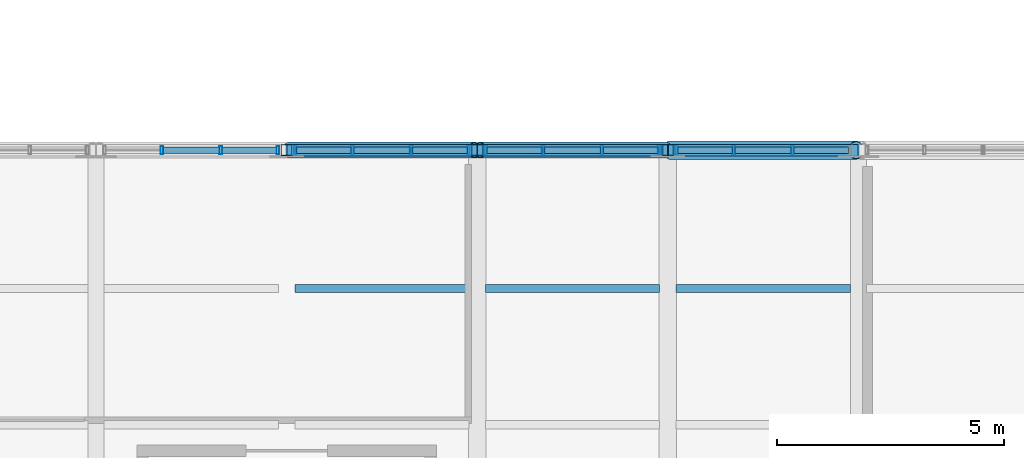
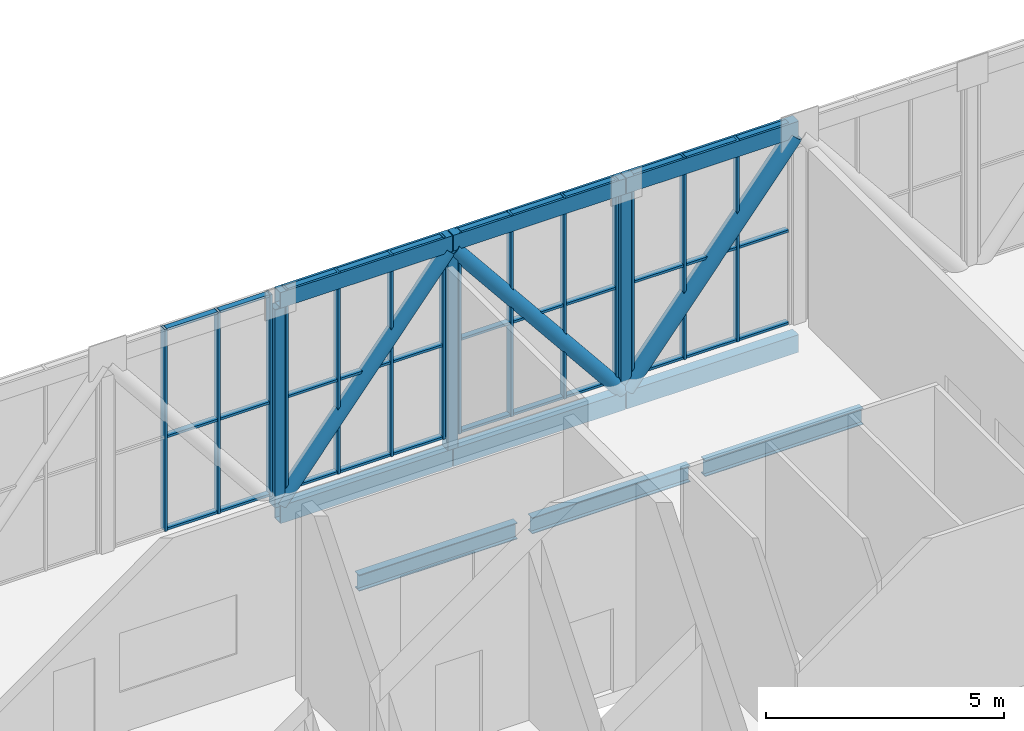
# One storey, part 35 of 58: 59 members, 3 beams, 4 elements without a shape of their own.
"""IFC4 building model written with IfcOpenShell, lengths in metres."""

from ifc_helpers import new_model, si_unit, direction, frame, origin, origin_2d, place, context, subcontext, project, spatial, hollow_rectangle, hollow_circle, i_section, extrude, material, material_profile, profile_set, type_object, element, aggregate, save


model = new_model("IFC4")

# Units and contexts
model_context = context("Model", 3, precision=1e-05, world=origin(), true_north=direction((0.0, 1.0)))
body_context = subcontext(model_context, "Body", "Model", "MODEL_VIEW")
ifc_project = project(units=[si_unit("LENGTHUNIT", "METRE"), si_unit("AREAUNIT", "SQUARE_METRE"), si_unit("VOLUMEUNIT", "CUBIC_METRE"), si_unit("PLANEANGLEUNIT", "RADIAN"), si_unit("MASSUNIT", "GRAM", prefix="KILO")], contexts=[model_context])

# Site, building, storey
site_placement = place(None, origin())
site = spatial("IfcSite", under=ifc_project, at=site_placement, CompositionType="ELEMENT")
building_placement = place(site_placement, origin())
building = spatial("IfcBuilding", under=site, at=building_placement, Name="Khurvash Pelagic Aquarium", CompositionType="ELEMENT")
storey_placement = place(building_placement, frame((0.0, 0.0, 24.60009765625)))
storey = spatial("IfcBuildingStorey", under=building, at=storey_placement, Name="L05", CompositionType="ELEMENT", Elevation=24.60009765625)

# Curtain wall, members
ifc_material_1 = material(Name="Anodised aluminium and low-E laminated glass", Category="aluminium")
curtain_wall_type = type_object("IfcCurtainWallType", Name="CW-01", PredefinedType="USERDEFINED", material=ifc_material_1)
curtain_wall_1_placement = place(storey_placement, origin())
curtain_wall_1 = element("IfcCurtainWall", 1, at=curtain_wall_1_placement, inside=storey, type_object=curtain_wall_type, Name="L05 North Sky-Bar Unitised Curtain Wall CW-01 P20", ObjectType="UNITISED CURTAIN WALL", PredefinedType="USERDEFINED")
ifc_material_2 = material(Name="Extruded aluminium AW-6063-T6", Category="aluminium")
ifc_material_profile_1 = material_profile(ifc_material_2, hollow_rectangle(XDim=0.06005859375, YDim=0.179931640625, WallThickness=0.00390625, at=origin_2d()), Name="CWM60X180X4")
ifc_profile_set_1 = profile_set([ifc_material_profile_1], Name="Extruded aluminium AW-6063-T6")
member_type_1 = type_object("IfcMemberType", Name="CM-01", PredefinedType="MULLION", material=ifc_profile_set_1)
member_1_placement = place(storey_placement, frame((93.853271484375, 29.75, 0.0), z_axis=(0.0, 0.0, 1.0), x_axis=(1.0, 0.0, 0.0)))
member_1 = element("IfcMember", 2, at=member_1_placement, type_object=member_type_1, Name="CW-01 mullion 2", PredefinedType="MULLION", context=body_context, shape_type="SweptSolid", body=[
    extrude(hollow_rectangle(XDim=0.06005859375, YDim=0.179931640625, WallThickness=0.00390625, at=origin_2d()), origin(), (0.0, 0.0, 1.0), 5.179931640625),
])
member_2_placement = place(storey_placement, frame((95.146728515625, 29.75, 0.0), z_axis=(0.0, 0.0, 1.0), x_axis=(1.0, 0.0, 0.0)))
member_2 = element("IfcMember", 3, at=member_2_placement, type_object=member_type_1, Name="CW-01 mullion 3", PredefinedType="MULLION", context=body_context, shape_type="SweptSolid", body=[
    extrude(hollow_rectangle(XDim=0.06005859375, YDim=0.179931640625, WallThickness=0.00390625, at=origin_2d()), origin(), (0.0, 0.0, 1.0), 5.179931640625),
])
member_3_placement = place(storey_placement, frame((96.409912109375, 29.75, 0.0), z_axis=(0.0, 0.0, 1.0), x_axis=(1.0, 0.0, 0.0)))
member_3 = element("IfcMember", 4, at=member_3_placement, type_object=member_type_1, Name="CW-01 mullion 4", PredefinedType="MULLION", context=body_context, shape_type="SweptSolid", body=[
    extrude(hollow_rectangle(XDim=0.06005859375, YDim=0.179931640625, WallThickness=0.00390625, at=origin_2d()), origin(), (0.0, 0.0, 1.0), 5.179931640625),
])

curtain_wall_2_placement = place(storey_placement, origin())
curtain_wall_2 = element("IfcCurtainWall", 5, at=curtain_wall_2_placement, inside=storey, type_object=curtain_wall_type, Name="L05 North Sky-Bar Unitised Curtain Wall CW-01 P21", ObjectType="UNITISED CURTAIN WALL", PredefinedType="USERDEFINED")
member_4_placement = place(storey_placement, frame((96.7900390625, 29.75, 0.0), z_axis=(0.0, 0.0, 1.0), x_axis=(1.0, 0.0, 0.0)))
member_4 = element("IfcMember", 6, at=member_4_placement, type_object=member_type_1, Name="CW-01 mullion 1", PredefinedType="MULLION", context=body_context, shape_type="SweptSolid", body=[
    extrude(hollow_rectangle(XDim=0.06005859375, YDim=0.179931640625, WallThickness=0.00390625, at=origin_2d()), origin(), (0.0, 0.0, 1.0), 5.179931640625),
])
member_5_placement = place(storey_placement, frame((98.05322265625, 29.75, 0.0), z_axis=(0.0, 0.0, 1.0), x_axis=(1.0, 0.0, 0.0)))
member_5 = element("IfcMember", 7, at=member_5_placement, type_object=member_type_1, Name="CW-01 mullion 2", PredefinedType="MULLION", context=body_context, shape_type="SweptSolid", body=[
    extrude(hollow_rectangle(XDim=0.06005859375, YDim=0.179931640625, WallThickness=0.00390625, at=origin_2d()), origin(), (0.0, 0.0, 1.0), 5.179931640625),
])
member_6_placement = place(storey_placement, frame((99.3466796875, 29.75, 0.0), z_axis=(0.0, 0.0, 1.0), x_axis=(1.0, 0.0, 0.0)))
member_6 = element("IfcMember", 8, at=member_6_placement, type_object=member_type_1, Name="CW-01 mullion 3", PredefinedType="MULLION", context=body_context, shape_type="SweptSolid", body=[
    extrude(hollow_rectangle(XDim=0.06005859375, YDim=0.179931640625, WallThickness=0.00390625, at=origin_2d()), origin(), (0.0, 0.0, 1.0), 5.179931640625),
])
member_7_placement = place(storey_placement, frame((100.610107421875, 29.75, 0.0), z_axis=(0.0, 0.0, 1.0), x_axis=(1.0, 0.0, 0.0)))
member_7 = element("IfcMember", 9, at=member_7_placement, type_object=member_type_1, Name="CW-01 mullion 4", PredefinedType="MULLION", context=body_context, shape_type="SweptSolid", body=[
    extrude(hollow_rectangle(XDim=0.06005859375, YDim=0.179931640625, WallThickness=0.00390625, at=origin_2d()), origin(), (0.0, 0.0, 1.0), 5.179931640625),
])

curtain_wall_3_placement = place(storey_placement, origin())
curtain_wall_3 = element("IfcCurtainWall", 10, at=curtain_wall_3_placement, inside=storey, type_object=curtain_wall_type, Name="L05 North Sky-Bar Unitised Curtain Wall CW-01 P22", ObjectType="UNITISED CURTAIN WALL", PredefinedType="USERDEFINED")
member_8_placement = place(storey_placement, frame((100.989990234375, 29.75, 0.0), z_axis=(0.0, 0.0, 1.0), x_axis=(1.0, 0.0, 0.0)))
member_8 = element("IfcMember", 11, at=member_8_placement, type_object=member_type_1, Name="CW-01 mullion 1", PredefinedType="MULLION", context=body_context, shape_type="SweptSolid", body=[
    extrude(hollow_rectangle(XDim=0.06005859375, YDim=0.179931640625, WallThickness=0.00390625, at=origin_2d()), origin(), (0.0, 0.0, 1.0), 5.179931640625),
])
member_9_placement = place(storey_placement, frame((102.25341796875, 29.75, 0.0), z_axis=(0.0, 0.0, 1.0), x_axis=(1.0, 0.0, 0.0)))
member_9 = element("IfcMember", 12, at=member_9_placement, type_object=member_type_1, Name="CW-01 mullion 2", PredefinedType="MULLION", context=body_context, shape_type="SweptSolid", body=[
    extrude(hollow_rectangle(XDim=0.06005859375, YDim=0.179931640625, WallThickness=0.00390625, at=origin_2d()), origin(), (0.0, 0.0, 1.0), 5.179931640625),
])
member_10_placement = place(storey_placement, frame((103.546630859375, 29.75, 0.0), z_axis=(0.0, 0.0, 1.0), x_axis=(1.0, 0.0, 0.0)))
member_10 = element("IfcMember", 13, at=member_10_placement, type_object=member_type_1, Name="CW-01 mullion 3", PredefinedType="MULLION", context=body_context, shape_type="SweptSolid", body=[
    extrude(hollow_rectangle(XDim=0.06005859375, YDim=0.179931640625, WallThickness=0.00390625, at=origin_2d()), origin(), (0.0, 0.0, 1.0), 5.179931640625),
])
member_11_placement = place(storey_placement, frame((104.81005859375, 29.75, 0.0), z_axis=(0.0, 0.0, 1.0), x_axis=(1.0, 0.0, 0.0)))
member_11 = element("IfcMember", 14, at=member_11_placement, type_object=member_type_1, Name="CW-01 mullion 4", PredefinedType="MULLION", context=body_context, shape_type="SweptSolid", body=[
    extrude(hollow_rectangle(XDim=0.06005859375, YDim=0.179931640625, WallThickness=0.00390625, at=origin_2d()), origin(), (0.0, 0.0, 1.0), 5.179931640625),
])

curtain_wall_4_placement = place(storey_placement, origin())
curtain_wall_4 = element("IfcCurtainWall", 15, at=curtain_wall_4_placement, inside=storey, type_object=curtain_wall_type, Name="L05 North Sky-Bar Unitised Curtain Wall CW-01 P23", ObjectType="UNITISED CURTAIN WALL", PredefinedType="USERDEFINED")
member_12_placement = place(storey_placement, frame((105.18994140625, 29.75, 0.0), z_axis=(0.0, 0.0, 1.0), x_axis=(1.0, 0.0, 0.0)))
member_12 = element("IfcMember", 16, at=member_12_placement, type_object=member_type_1, Name="CW-01 mullion 1", PredefinedType="MULLION", context=body_context, shape_type="SweptSolid", body=[
    extrude(hollow_rectangle(XDim=0.06005859375, YDim=0.179931640625, WallThickness=0.00390625, at=origin_2d()), origin(), (0.0, 0.0, 1.0), 5.179931640625),
])
member_13_placement = place(storey_placement, frame((106.453369140625, 29.75, 0.0), z_axis=(0.0, 0.0, 1.0), x_axis=(1.0, 0.0, 0.0)))
member_13 = element("IfcMember", 17, at=member_13_placement, type_object=member_type_1, Name="CW-01 mullion 2", PredefinedType="MULLION", context=body_context, shape_type="SweptSolid", body=[
    extrude(hollow_rectangle(XDim=0.06005859375, YDim=0.179931640625, WallThickness=0.00390625, at=origin_2d()), origin(), (0.0, 0.0, 1.0), 5.179931640625),
])
member_14_placement = place(storey_placement, frame((107.74658203125, 29.75, 0.0), z_axis=(0.0, 0.0, 1.0), x_axis=(1.0, 0.0, 0.0)))
member_14 = element("IfcMember", 18, at=member_14_placement, type_object=member_type_1, Name="CW-01 mullion 3", PredefinedType="MULLION", context=body_context, shape_type="SweptSolid", body=[
    extrude(hollow_rectangle(XDim=0.06005859375, YDim=0.179931640625, WallThickness=0.00390625, at=origin_2d()), origin(), (0.0, 0.0, 1.0), 5.179931640625),
])

# Member
ifc_material_profile_2 = material_profile(ifc_material_2, hollow_rectangle(XDim=0.139892578125, YDim=0.06005859375, WallThickness=0.00390625, at=origin_2d()), Name="CWT140X60X4")
ifc_profile_set_2 = profile_set([ifc_material_profile_2], Name="Extruded aluminium AW-6063-T6")
member_type_2 = type_object("IfcMemberType", Name="CT-01", PredefinedType="USERDEFINED", material=ifc_profile_set_2)
member_15_placement = place(storey_placement, frame((93.88330078125, 29.75, 0.02978515625), z_axis=(1.0, 0.0, 0.0), x_axis=(0.0, 1.0, 0.0)))
member_15 = element("IfcMember", 19, at=member_15_placement, type_object=member_type_2, Name="CW-01 transom 2.1", ObjectType="TRANSOM", PredefinedType="USERDEFINED", context=body_context, shape_type="SweptSolid", body=[
    extrude(hollow_rectangle(XDim=0.139892578125, YDim=0.06005859375, WallThickness=0.00390625, at=origin_2d()), origin(), (0.0, 0.0, 1.0), 1.2333984375),
])

member_16_placement = place(storey_placement, frame((93.88330078125, 29.75, 2.39990234375), z_axis=(1.0, 0.0, 0.0), x_axis=(0.0, 1.0, 0.0)))
member_16 = element("IfcMember", 20, at=member_16_placement, type_object=member_type_2, Name="CW-01 transom 2.2", ObjectType="TRANSOM", PredefinedType="USERDEFINED", context=body_context, shape_type="SweptSolid", body=[
    extrude(hollow_rectangle(XDim=0.139892578125, YDim=0.06005859375, WallThickness=0.00390625, at=origin_2d()), origin(), (0.0, 0.0, 1.0), 1.2333984375),
])

member_17_placement = place(storey_placement, frame((93.88330078125, 29.75, 5.14990234375), z_axis=(1.0, 0.0, 0.0), x_axis=(0.0, 1.0, 0.0)))
member_17 = element("IfcMember", 21, at=member_17_placement, type_object=member_type_2, Name="CW-01 transom 2.3", ObjectType="TRANSOM", PredefinedType="USERDEFINED", context=body_context, shape_type="SweptSolid", body=[
    extrude(hollow_rectangle(XDim=0.139892578125, YDim=0.06005859375, WallThickness=0.00390625, at=origin_2d()), origin(), (0.0, 0.0, 1.0), 1.2333984375),
])

member_18_placement = place(storey_placement, frame((95.1767578125, 29.75, 0.02978515625), z_axis=(1.0, 0.0, 0.0), x_axis=(0.0, 1.0, 0.0)))
member_18 = element("IfcMember", 22, at=member_18_placement, type_object=member_type_2, Name="CW-01 transom 3.1", ObjectType="TRANSOM", PredefinedType="USERDEFINED", context=body_context, shape_type="SweptSolid", body=[
    extrude(hollow_rectangle(XDim=0.139892578125, YDim=0.06005859375, WallThickness=0.00390625, at=origin_2d()), origin(), (0.0, 0.0, 1.0), 1.203125),
])

member_19_placement = place(storey_placement, frame((95.1767578125, 29.75, 2.39990234375), z_axis=(1.0, 0.0, 0.0), x_axis=(0.0, 1.0, 0.0)))
member_19 = element("IfcMember", 23, at=member_19_placement, type_object=member_type_2, Name="CW-01 transom 3.2", ObjectType="TRANSOM", PredefinedType="USERDEFINED", context=body_context, shape_type="SweptSolid", body=[
    extrude(hollow_rectangle(XDim=0.139892578125, YDim=0.06005859375, WallThickness=0.00390625, at=origin_2d()), origin(), (0.0, 0.0, 1.0), 1.203125),
])

member_20_placement = place(storey_placement, frame((95.1767578125, 29.75, 5.14990234375), z_axis=(1.0, 0.0, 0.0), x_axis=(0.0, 1.0, 0.0)))
member_20 = element("IfcMember", 24, at=member_20_placement, type_object=member_type_2, Name="CW-01 transom 3.3", ObjectType="TRANSOM", PredefinedType="USERDEFINED", context=body_context, shape_type="SweptSolid", body=[
    extrude(hollow_rectangle(XDim=0.139892578125, YDim=0.06005859375, WallThickness=0.00390625, at=origin_2d()), origin(), (0.0, 0.0, 1.0), 1.203125),
])

aggregate(curtain_wall_1, [member_1, member_2, member_3, member_15, member_16, member_17, member_18, member_19, member_20])

member_21_placement = place(storey_placement, frame((96.820068359375, 29.75, 0.02978515625), z_axis=(1.0, 0.0, 0.0), x_axis=(0.0, 1.0, 0.0)))
member_21 = element("IfcMember", 25, at=member_21_placement, type_object=member_type_2, Name="CW-01 transom 1.1", ObjectType="TRANSOM", PredefinedType="USERDEFINED", context=body_context, shape_type="SweptSolid", body=[
    extrude(hollow_rectangle(XDim=0.139892578125, YDim=0.06005859375, WallThickness=0.00390625, at=origin_2d()), origin(), (0.0, 0.0, 1.0), 1.203369140625),
])

member_22_placement = place(storey_placement, frame((96.820068359375, 29.75, 2.39990234375), z_axis=(1.0, 0.0, 0.0), x_axis=(0.0, 1.0, 0.0)))
member_22 = element("IfcMember", 26, at=member_22_placement, type_object=member_type_2, Name="CW-01 transom 1.2", ObjectType="TRANSOM", PredefinedType="USERDEFINED", context=body_context, shape_type="SweptSolid", body=[
    extrude(hollow_rectangle(XDim=0.139892578125, YDim=0.06005859375, WallThickness=0.00390625, at=origin_2d()), origin(), (0.0, 0.0, 1.0), 1.203369140625),
])

member_23_placement = place(storey_placement, frame((96.820068359375, 29.75, 5.14990234375), z_axis=(1.0, 0.0, 0.0), x_axis=(0.0, 1.0, 0.0)))
member_23 = element("IfcMember", 27, at=member_23_placement, type_object=member_type_2, Name="CW-01 transom 1.3", ObjectType="TRANSOM", PredefinedType="USERDEFINED", context=body_context, shape_type="SweptSolid", body=[
    extrude(hollow_rectangle(XDim=0.139892578125, YDim=0.06005859375, WallThickness=0.00390625, at=origin_2d()), origin(), (0.0, 0.0, 1.0), 1.203369140625),
])

member_24_placement = place(storey_placement, frame((98.083251953125, 29.75, 0.02978515625), z_axis=(1.0, 0.0, 0.0), x_axis=(0.0, 1.0, 0.0)))
member_24 = element("IfcMember", 28, at=member_24_placement, type_object=member_type_2, Name="CW-01 transom 2.1", ObjectType="TRANSOM", PredefinedType="USERDEFINED", context=body_context, shape_type="SweptSolid", body=[
    extrude(hollow_rectangle(XDim=0.139892578125, YDim=0.06005859375, WallThickness=0.00390625, at=origin_2d()), origin(), (0.0, 0.0, 1.0), 1.2333984375),
])

member_25_placement = place(storey_placement, frame((98.083251953125, 29.75, 2.39990234375), z_axis=(1.0, 0.0, 0.0), x_axis=(0.0, 1.0, 0.0)))
member_25 = element("IfcMember", 29, at=member_25_placement, type_object=member_type_2, Name="CW-01 transom 2.2", ObjectType="TRANSOM", PredefinedType="USERDEFINED", context=body_context, shape_type="SweptSolid", body=[
    extrude(hollow_rectangle(XDim=0.139892578125, YDim=0.06005859375, WallThickness=0.00390625, at=origin_2d()), origin(), (0.0, 0.0, 1.0), 1.2333984375),
])

member_26_placement = place(storey_placement, frame((98.083251953125, 29.75, 5.14990234375), z_axis=(1.0, 0.0, 0.0), x_axis=(0.0, 1.0, 0.0)))
member_26 = element("IfcMember", 30, at=member_26_placement, type_object=member_type_2, Name="CW-01 transom 2.3", ObjectType="TRANSOM", PredefinedType="USERDEFINED", context=body_context, shape_type="SweptSolid", body=[
    extrude(hollow_rectangle(XDim=0.139892578125, YDim=0.06005859375, WallThickness=0.00390625, at=origin_2d()), origin(), (0.0, 0.0, 1.0), 1.2333984375),
])

member_27_placement = place(storey_placement, frame((99.376708984375, 29.75, 0.02978515625), z_axis=(1.0, 0.0, 0.0), x_axis=(0.0, 1.0, 0.0)))
member_27 = element("IfcMember", 31, at=member_27_placement, type_object=member_type_2, Name="CW-01 transom 3.1", ObjectType="TRANSOM", PredefinedType="USERDEFINED", context=body_context, shape_type="SweptSolid", body=[
    extrude(hollow_rectangle(XDim=0.139892578125, YDim=0.06005859375, WallThickness=0.00390625, at=origin_2d()), origin(), (0.0, 0.0, 1.0), 1.203369140625),
])

member_28_placement = place(storey_placement, frame((99.376708984375, 29.75, 2.39990234375), z_axis=(1.0, 0.0, 0.0), x_axis=(0.0, 1.0, 0.0)))
member_28 = element("IfcMember", 32, at=member_28_placement, type_object=member_type_2, Name="CW-01 transom 3.2", ObjectType="TRANSOM", PredefinedType="USERDEFINED", context=body_context, shape_type="SweptSolid", body=[
    extrude(hollow_rectangle(XDim=0.139892578125, YDim=0.06005859375, WallThickness=0.00390625, at=origin_2d()), origin(), (0.0, 0.0, 1.0), 1.203369140625),
])

member_29_placement = place(storey_placement, frame((99.376708984375, 29.75, 5.14990234375), z_axis=(1.0, 0.0, 0.0), x_axis=(0.0, 1.0, 0.0)))
member_29 = element("IfcMember", 33, at=member_29_placement, type_object=member_type_2, Name="CW-01 transom 3.3", ObjectType="TRANSOM", PredefinedType="USERDEFINED", context=body_context, shape_type="SweptSolid", body=[
    extrude(hollow_rectangle(XDim=0.139892578125, YDim=0.06005859375, WallThickness=0.00390625, at=origin_2d()), origin(), (0.0, 0.0, 1.0), 1.203369140625),
])

aggregate(curtain_wall_2, [member_4, member_5, member_6, member_7, member_21, member_22, member_23, member_24, member_25, member_26, member_27, member_28, member_29])

member_30_placement = place(storey_placement, frame((101.02001953125, 29.75, 0.02978515625), z_axis=(1.0, 0.0, 0.0), x_axis=(0.0, 1.0, 0.0)))
member_30 = element("IfcMember", 34, at=member_30_placement, type_object=member_type_2, Name="CW-01 transom 1.1", ObjectType="TRANSOM", PredefinedType="USERDEFINED", context=body_context, shape_type="SweptSolid", body=[
    extrude(hollow_rectangle(XDim=0.139892578125, YDim=0.06005859375, WallThickness=0.00390625, at=origin_2d()), origin(), (0.0, 0.0, 1.0), 1.203369140625),
])

member_31_placement = place(storey_placement, frame((101.02001953125, 29.75, 2.39990234375), z_axis=(1.0, 0.0, 0.0), x_axis=(0.0, 1.0, 0.0)))
member_31 = element("IfcMember", 35, at=member_31_placement, type_object=member_type_2, Name="CW-01 transom 1.2", ObjectType="TRANSOM", PredefinedType="USERDEFINED", context=body_context, shape_type="SweptSolid", body=[
    extrude(hollow_rectangle(XDim=0.139892578125, YDim=0.06005859375, WallThickness=0.00390625, at=origin_2d()), origin(), (0.0, 0.0, 1.0), 1.203369140625),
])

member_32_placement = place(storey_placement, frame((101.02001953125, 29.75, 5.14990234375), z_axis=(1.0, 0.0, 0.0), x_axis=(0.0, 1.0, 0.0)))
member_32 = element("IfcMember", 36, at=member_32_placement, type_object=member_type_2, Name="CW-01 transom 1.3", ObjectType="TRANSOM", PredefinedType="USERDEFINED", context=body_context, shape_type="SweptSolid", body=[
    extrude(hollow_rectangle(XDim=0.139892578125, YDim=0.06005859375, WallThickness=0.00390625, at=origin_2d()), origin(), (0.0, 0.0, 1.0), 1.203369140625),
])

member_33_placement = place(storey_placement, frame((102.283447265625, 29.75, 0.02978515625), z_axis=(1.0, 0.0, 0.0), x_axis=(0.0, 1.0, 0.0)))
member_33 = element("IfcMember", 37, at=member_33_placement, type_object=member_type_2, Name="CW-01 transom 2.1", ObjectType="TRANSOM", PredefinedType="USERDEFINED", context=body_context, shape_type="SweptSolid", body=[
    extrude(hollow_rectangle(XDim=0.139892578125, YDim=0.06005859375, WallThickness=0.00390625, at=origin_2d()), origin(), (0.0, 0.0, 1.0), 1.233154296875),
])

member_34_placement = place(storey_placement, frame((102.283447265625, 29.75, 2.39990234375), z_axis=(1.0, 0.0, 0.0), x_axis=(0.0, 1.0, 0.0)))
member_34 = element("IfcMember", 38, at=member_34_placement, type_object=member_type_2, Name="CW-01 transom 2.2", ObjectType="TRANSOM", PredefinedType="USERDEFINED", context=body_context, shape_type="SweptSolid", body=[
    extrude(hollow_rectangle(XDim=0.139892578125, YDim=0.06005859375, WallThickness=0.00390625, at=origin_2d()), origin(), (0.0, 0.0, 1.0), 1.233154296875),
])

member_35_placement = place(storey_placement, frame((102.283447265625, 29.75, 5.14990234375), z_axis=(1.0, 0.0, 0.0), x_axis=(0.0, 1.0, 0.0)))
member_35 = element("IfcMember", 39, at=member_35_placement, type_object=member_type_2, Name="CW-01 transom 2.3", ObjectType="TRANSOM", PredefinedType="USERDEFINED", context=body_context, shape_type="SweptSolid", body=[
    extrude(hollow_rectangle(XDim=0.139892578125, YDim=0.06005859375, WallThickness=0.00390625, at=origin_2d()), origin(), (0.0, 0.0, 1.0), 1.233154296875),
])

member_36_placement = place(storey_placement, frame((103.57666015625, 29.75, 0.02978515625), z_axis=(1.0, 0.0, 0.0), x_axis=(0.0, 1.0, 0.0)))
member_36 = element("IfcMember", 40, at=member_36_placement, type_object=member_type_2, Name="CW-01 transom 3.1", ObjectType="TRANSOM", PredefinedType="USERDEFINED", context=body_context, shape_type="SweptSolid", body=[
    extrude(hollow_rectangle(XDim=0.139892578125, YDim=0.06005859375, WallThickness=0.00390625, at=origin_2d()), origin(), (0.0, 0.0, 1.0), 1.203369140625),
])

member_37_placement = place(storey_placement, frame((103.57666015625, 29.75, 2.39990234375), z_axis=(1.0, 0.0, 0.0), x_axis=(0.0, 1.0, 0.0)))
member_37 = element("IfcMember", 41, at=member_37_placement, type_object=member_type_2, Name="CW-01 transom 3.2", ObjectType="TRANSOM", PredefinedType="USERDEFINED", context=body_context, shape_type="SweptSolid", body=[
    extrude(hollow_rectangle(XDim=0.139892578125, YDim=0.06005859375, WallThickness=0.00390625, at=origin_2d()), origin(), (0.0, 0.0, 1.0), 1.203369140625),
])

member_38_placement = place(storey_placement, frame((103.57666015625, 29.75, 5.14990234375), z_axis=(1.0, 0.0, 0.0), x_axis=(0.0, 1.0, 0.0)))
member_38 = element("IfcMember", 42, at=member_38_placement, type_object=member_type_2, Name="CW-01 transom 3.3", ObjectType="TRANSOM", PredefinedType="USERDEFINED", context=body_context, shape_type="SweptSolid", body=[
    extrude(hollow_rectangle(XDim=0.139892578125, YDim=0.06005859375, WallThickness=0.00390625, at=origin_2d()), origin(), (0.0, 0.0, 1.0), 1.203369140625),
])

aggregate(curtain_wall_3, [member_8, member_9, member_10, member_11, member_30, member_31, member_32, member_33, member_34, member_35, member_36, member_37, member_38])

member_39_placement = place(storey_placement, frame((105.219970703125, 29.75, 0.02978515625), z_axis=(1.0, 0.0, 0.0), x_axis=(0.0, 1.0, 0.0)))
member_39 = element("IfcMember", 43, at=member_39_placement, type_object=member_type_2, Name="CW-01 transom 1.1", ObjectType="TRANSOM", PredefinedType="USERDEFINED", context=body_context, shape_type="SweptSolid", body=[
    extrude(hollow_rectangle(XDim=0.139892578125, YDim=0.06005859375, WallThickness=0.00390625, at=origin_2d()), origin(), (0.0, 0.0, 1.0), 1.203369140625),
])

member_40_placement = place(storey_placement, frame((105.219970703125, 29.75, 2.39990234375), z_axis=(1.0, 0.0, 0.0), x_axis=(0.0, 1.0, 0.0)))
member_40 = element("IfcMember", 44, at=member_40_placement, type_object=member_type_2, Name="CW-01 transom 1.2", ObjectType="TRANSOM", PredefinedType="USERDEFINED", context=body_context, shape_type="SweptSolid", body=[
    extrude(hollow_rectangle(XDim=0.139892578125, YDim=0.06005859375, WallThickness=0.00390625, at=origin_2d()), origin(), (0.0, 0.0, 1.0), 1.203369140625),
])

member_41_placement = place(storey_placement, frame((105.219970703125, 29.75, 5.14990234375), z_axis=(1.0, 0.0, 0.0), x_axis=(0.0, 1.0, 0.0)))
member_41 = element("IfcMember", 45, at=member_41_placement, type_object=member_type_2, Name="CW-01 transom 1.3", ObjectType="TRANSOM", PredefinedType="USERDEFINED", context=body_context, shape_type="SweptSolid", body=[
    extrude(hollow_rectangle(XDim=0.139892578125, YDim=0.06005859375, WallThickness=0.00390625, at=origin_2d()), origin(), (0.0, 0.0, 1.0), 1.203369140625),
])

member_42_placement = place(storey_placement, frame((106.4833984375, 29.75, 0.02978515625), z_axis=(1.0, 0.0, 0.0), x_axis=(0.0, 1.0, 0.0)))
member_42 = element("IfcMember", 46, at=member_42_placement, type_object=member_type_2, Name="CW-01 transom 2.1", ObjectType="TRANSOM", PredefinedType="USERDEFINED", context=body_context, shape_type="SweptSolid", body=[
    extrude(hollow_rectangle(XDim=0.139892578125, YDim=0.06005859375, WallThickness=0.00390625, at=origin_2d()), origin(), (0.0, 0.0, 1.0), 1.233154296875),
])

member_43_placement = place(storey_placement, frame((106.4833984375, 29.75, 2.39990234375), z_axis=(1.0, 0.0, 0.0), x_axis=(0.0, 1.0, 0.0)))
member_43 = element("IfcMember", 47, at=member_43_placement, type_object=member_type_2, Name="CW-01 transom 2.2", ObjectType="TRANSOM", PredefinedType="USERDEFINED", context=body_context, shape_type="SweptSolid", body=[
    extrude(hollow_rectangle(XDim=0.139892578125, YDim=0.06005859375, WallThickness=0.00390625, at=origin_2d()), origin(), (0.0, 0.0, 1.0), 1.233154296875),
])

member_44_placement = place(storey_placement, frame((106.4833984375, 29.75, 5.14990234375), z_axis=(1.0, 0.0, 0.0), x_axis=(0.0, 1.0, 0.0)))
member_44 = element("IfcMember", 48, at=member_44_placement, type_object=member_type_2, Name="CW-01 transom 2.3", ObjectType="TRANSOM", PredefinedType="USERDEFINED", context=body_context, shape_type="SweptSolid", body=[
    extrude(hollow_rectangle(XDim=0.139892578125, YDim=0.06005859375, WallThickness=0.00390625, at=origin_2d()), origin(), (0.0, 0.0, 1.0), 1.233154296875),
])

member_45_placement = place(storey_placement, frame((107.776611328125, 29.75, 0.02978515625), z_axis=(1.0, 0.0, 0.0), x_axis=(0.0, 1.0, 0.0)))
member_45 = element("IfcMember", 49, at=member_45_placement, type_object=member_type_2, Name="CW-01 transom 3.1", ObjectType="TRANSOM", PredefinedType="USERDEFINED", context=body_context, shape_type="SweptSolid", body=[
    extrude(hollow_rectangle(XDim=0.139892578125, YDim=0.06005859375, WallThickness=0.00390625, at=origin_2d()), origin(), (0.0, 0.0, 1.0), 1.203369140625),
])

member_46_placement = place(storey_placement, frame((107.776611328125, 29.75, 2.39990234375), z_axis=(1.0, 0.0, 0.0), x_axis=(0.0, 1.0, 0.0)))
member_46 = element("IfcMember", 50, at=member_46_placement, type_object=member_type_2, Name="CW-01 transom 3.2", ObjectType="TRANSOM", PredefinedType="USERDEFINED", context=body_context, shape_type="SweptSolid", body=[
    extrude(hollow_rectangle(XDim=0.139892578125, YDim=0.06005859375, WallThickness=0.00390625, at=origin_2d()), origin(), (0.0, 0.0, 1.0), 1.203369140625),
])

member_47_placement = place(storey_placement, frame((107.776611328125, 29.75, 5.14990234375), z_axis=(1.0, 0.0, 0.0), x_axis=(0.0, 1.0, 0.0)))
member_47 = element("IfcMember", 51, at=member_47_placement, type_object=member_type_2, Name="CW-01 transom 3.3", ObjectType="TRANSOM", PredefinedType="USERDEFINED", context=body_context, shape_type="SweptSolid", body=[
    extrude(hollow_rectangle(XDim=0.139892578125, YDim=0.06005859375, WallThickness=0.00390625, at=origin_2d()), origin(), (0.0, 0.0, 1.0), 1.203369140625),
])

aggregate(curtain_wall_4, [member_12, member_13, member_14, member_39, member_40, member_41, member_42, member_43, member_44, member_45, member_46, member_47])

# Beams
ifc_material_3 = material(Name="Steel ASTM A992 Grade 50", Category="steel")
ifc_material_profile_3 = material_profile(ifc_material_3, i_section(OverallWidth=0.180908203125, OverallDepth=0.4169921875, WebThickness=0.010986328125, FlangeThickness=0.018310546875, at=origin_2d()), Name="W16X57")
ifc_profile_set_3 = profile_set([ifc_material_profile_3], Name="Steel ASTM A992 Grade 50")
beam_type = type_object("IfcBeamType", Name="JS-03", PredefinedType="JOIST", material=ifc_profile_set_3)
for number, where, z_axis, x_axis, name in (
    (52, (96.780029296875, 26.699951171875, -0.508544921875), (1.0, 0.0, 0.0), (0.0, 1.0, 0.0), "L05 Sky-Bar Floor Joist JS-03 P21"),
    (53, (100.97998046875, 26.699951171875, -0.508544921875), (1.0, 0.0, 0.0), (0.0, 1.0, 0.0), "L05 Sky-Bar Floor Joist JS-03 P22"),
    (54, (105.179931640625, 26.699951171875, -0.508544921875), (1.0, 0.0, 0.0), (0.0, 1.0, 0.0), "L05 Sky-Bar Floor Joist JS-03 P23"),
):
    element("IfcBeam", number, at=place(storey_placement, frame(where, z_axis=z_axis, x_axis=x_axis)), inside=storey, type_object=beam_type, Name=name, PredefinedType="JOIST", context=body_context, shape_type="SweptSolid", body=[
        extrude(i_section(OverallWidth=0.180908203125, OverallDepth=0.4169921875, WebThickness=0.010986328125, FlangeThickness=0.018310546875, at=origin_2d()), origin(), (0.0, 0.0, 1.0), 3.840087890625),
    ])

# Members
ifc_material_4 = material(Name="Steel S355J2", Category="steel")
ifc_material_profile_4 = material_profile(ifc_material_4, hollow_rectangle(XDim=0.25, YDim=0.449951171875, WallThickness=0.02001953125, at=origin_2d()), Name="RHS450X250X20")
ifc_profile_set_4 = profile_set([ifc_material_profile_4], Name="Steel S355J2")
member_type_3 = type_object("IfcMemberType", Name="TC-01", PredefinedType="CHORD", material=ifc_profile_set_4)
for number, where, z_axis, x_axis, name in (
    (55, (96.610107421875, 29.75, -0.525146484375), (1.0, 0.0, 0.0), (0.0, 1.0, 0.0), "L05 North Sky-Bar Warren Truss Bottom Chord TC-01 P21"),
    (56, (100.81005859375, 29.75, -0.525146484375), (1.0, 0.0, 0.0), (0.0, 1.0, 0.0), "L05 North Sky-Bar Warren Truss Bottom Chord TC-01 P22"),
    (57, (105.010009765625, 29.75, -0.525146484375), (1.0, 0.0, 0.0), (0.0, 1.0, 0.0), "L05 North Sky-Bar Warren Truss Bottom Chord TC-01 P23"),
):
    element("IfcMember", number, at=place(storey_placement, frame(where, z_axis=z_axis, x_axis=x_axis)), inside=storey, type_object=member_type_3, Name=name, PredefinedType="CHORD", context=body_context, shape_type="SweptSolid", body=[
        extrude(hollow_rectangle(XDim=0.25, YDim=0.449951171875, WallThickness=0.02001953125, at=origin_2d()), origin(), (0.0, 0.0, 1.0), 4.179931640625),
    ])
ifc_material_profile_5 = material_profile(ifc_material_4, hollow_rectangle(XDim=0.25, YDim=0.39990234375, WallThickness=0.01611328125, at=origin_2d()), Name="RHS400X250X16")
ifc_profile_set_5 = profile_set([ifc_material_profile_5], Name="Steel S355J2")
member_type_4 = type_object("IfcMemberType", Name="TC-02", PredefinedType="CHORD", material=ifc_profile_set_5)
for number, where, z_axis, x_axis, name in (
    (58, (96.610107421875, 29.75, 4.97998046875), (1.0, 0.0, 0.0), (0.0, 1.0, 0.0), "L05 North Sky-Bar Warren Truss Top Chord TC-02 P21"),
    (59, (100.81005859375, 29.75, 4.97998046875), (1.0, 0.0, 0.0), (0.0, 1.0, 0.0), "L05 North Sky-Bar Warren Truss Top Chord TC-02 P22"),
    (60, (105.010009765625, 29.75, 4.97998046875), (1.0, 0.0, 0.0), (0.0, 1.0, 0.0), "L05 North Sky-Bar Warren Truss Top Chord TC-02 P23"),
):
    element("IfcMember", number, at=place(storey_placement, frame(where, z_axis=z_axis, x_axis=x_axis)), inside=storey, type_object=member_type_4, Name=name, PredefinedType="CHORD", context=body_context, shape_type="SweptSolid", body=[
        extrude(hollow_rectangle(XDim=0.25, YDim=0.39990234375, WallThickness=0.01611328125, at=origin_2d()), origin(), (0.0, 0.0, 1.0), 4.179931640625),
    ])
ifc_material_profile_6 = material_profile(ifc_material_4, hollow_circle(Radius=0.203125, WallThickness=0.01611328125, at=origin_2d()), Name="CHS406X16")
ifc_profile_set_6 = profile_set([ifc_material_profile_6], Name="Steel S355J2")
member_type_5 = type_object("IfcMemberType", Name="TD-01", PredefinedType="BRACE", material=ifc_profile_set_6)
member_48_placement = place(storey_placement, frame((105.050048828125, 29.75, -0.300048828125), z_axis=(0.628050658275, 0.0, 0.778172455591), x_axis=(0.0, 1.0, 0.0)))
element("IfcMember", 61, at=member_48_placement, inside=storey, type_object=member_type_5, Name="L05 North Sky-Bar Warren Truss Diagonal TD-01 P23", PredefinedType="BRACE", context=body_context, shape_type="SweptSolid", body=[
    extrude(hollow_circle(Radius=0.203125, WallThickness=0.01611328125, at=origin_2d()), origin(), (0.0, 0.0, 1.0), 6.52783203125),
])
ifc_material_profile_7 = material_profile(ifc_material_4, hollow_circle(Radius=0.177734375, WallThickness=0.01416015625, at=origin_2d()), Name="CHS355X14")
ifc_profile_set_7 = profile_set([ifc_material_profile_7], Name="Steel S355J2")
member_type_6 = type_object("IfcMemberType", Name="TD-02", PredefinedType="BRACE", material=ifc_profile_set_7)
member_49_placement = place(storey_placement, frame((96.64990234375, 29.75, -0.300048828125), z_axis=(0.628073304864, 0.0, 0.778154177343), x_axis=(0.0, 1.0, 0.0)))
element("IfcMember", 62, at=member_49_placement, inside=storey, type_object=member_type_6, Name="L05 North Sky-Bar Warren Truss Diagonal TD-02 P21", PredefinedType="BRACE", context=body_context, shape_type="SweptSolid", body=[
    extrude(hollow_circle(Radius=0.177734375, WallThickness=0.01416015625, at=origin_2d()), origin(), (0.0, 0.0, 1.0), 6.528076171875),
])
member_50_placement = place(storey_placement, frame((100.85009765625, 29.75, 4.77978515625), z_axis=(0.628050658275, 0.0, -0.778172455591), x_axis=(0.0, 1.0, 0.0)))
element("IfcMember", 63, at=member_50_placement, inside=storey, type_object=member_type_6, Name="L05 North Sky-Bar Warren Truss Diagonal TD-02 P22", PredefinedType="BRACE", context=body_context, shape_type="SweptSolid", body=[
    extrude(hollow_circle(Radius=0.177734375, WallThickness=0.01416015625, at=origin_2d()), origin(), (0.0, 0.0, 1.0), 6.52783203125),
])
ifc_material_profile_8 = material_profile(ifc_material_4, hollow_rectangle(XDim=0.25, YDim=0.25, WallThickness=0.012451171875, at=origin_2d()), Name="SHS250X250X12")
ifc_profile_set_8 = profile_set([ifc_material_profile_8], Name="Steel S355J2")
member_type_7 = type_object("IfcMemberType", Name="TV-02", PredefinedType="POST", material=ifc_profile_set_8)
for number, where, z_axis, x_axis, name in (
    (64, (96.60009765625, 29.75, -0.300048828125), (0.0, 0.0, 1.0), (1.0, 0.0, 0.0), "L05 North Sky-Bar Truss Post TV-02 N21"),
    (65, (100.800048828125, 29.75, -0.300048828125), (0.0, 0.0, 1.0), (1.0, 0.0, 0.0), "L05 North Sky-Bar Truss Post TV-02 N22"),
    (66, (105.0, 29.75, -0.300048828125), (0.0, 0.0, 1.0), (1.0, 0.0, 0.0), "L05 North Sky-Bar Truss Post TV-02 N23"),
):
    element("IfcMember", number, at=place(storey_placement, frame(where, z_axis=z_axis, x_axis=x_axis)), inside=storey, type_object=member_type_7, Name=name, PredefinedType="POST", context=body_context, shape_type="SweptSolid", body=[
        extrude(hollow_rectangle(XDim=0.25, YDim=0.25, WallThickness=0.012451171875, at=origin_2d()), origin(), (0.0, 0.0, 1.0), 5.079833984375),
    ])

save(model, "model.ifc")
